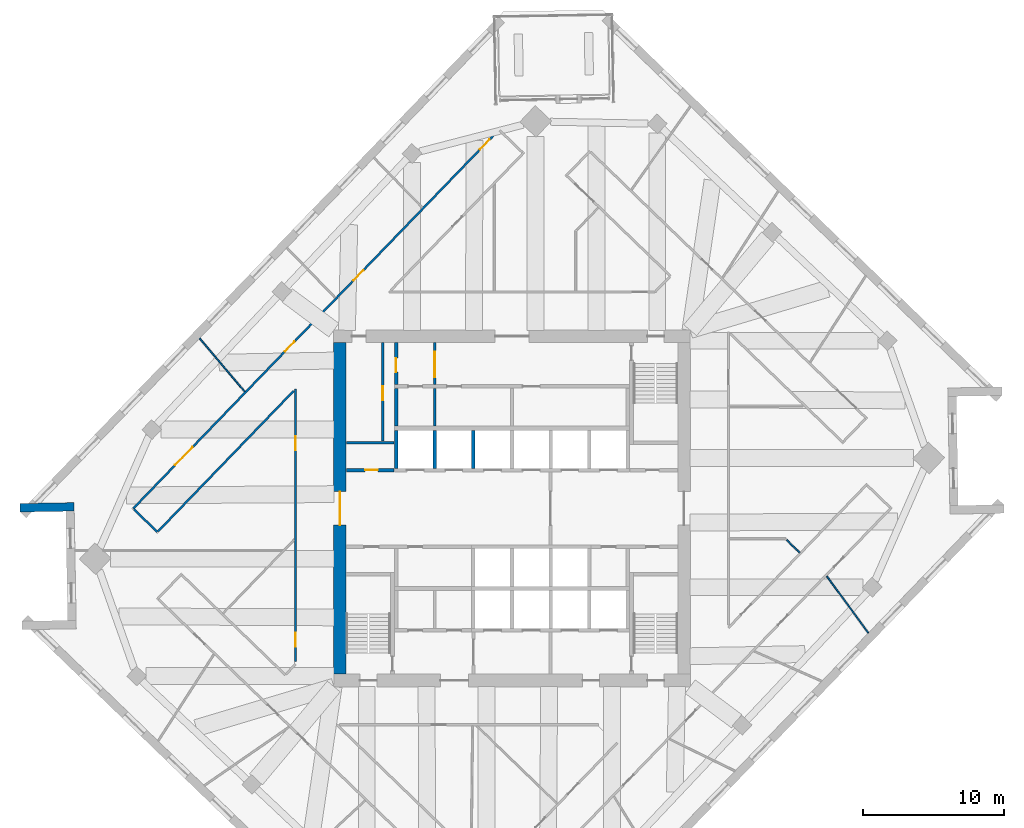
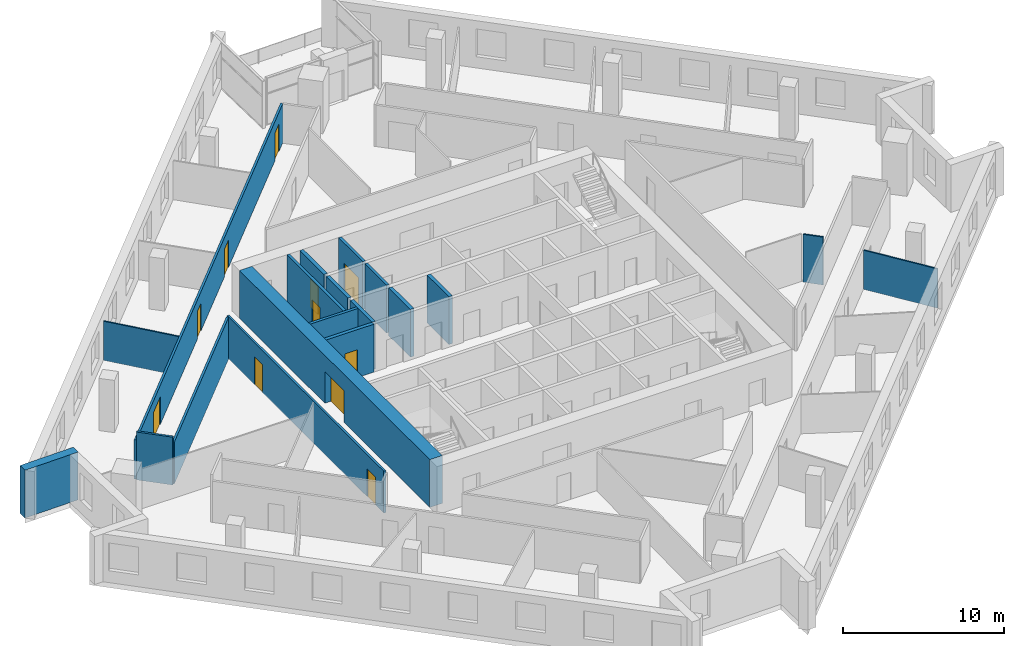
# One storey, part 8 of 13: 19 walls, 11 doors, 11 openings.
"""IFC4 building model written with IfcOpenShell, lengths in metres."""

from ifc_helpers import new_model, si_unit, direction, frame, frame_2d, origin, place, context, subcontext, project, spatial, rectangle, extrude, material, layer, layer_set, type_object, element, fill, save


model = new_model("IFC4")

# Units and contexts
model_context = context("Model", 3, precision=1e-05, world=origin(), true_north=direction((0.0, 1.0)))
body_context = subcontext(model_context, "Body", "Model", "MODEL_VIEW")
ifc_project = project(units=[si_unit("LENGTHUNIT", "METRE"), si_unit("AREAUNIT", "SQUARE_METRE"), si_unit("VOLUMEUNIT", "CUBIC_METRE"), si_unit("PLANEANGLEUNIT", "RADIAN"), si_unit("MASSUNIT", "GRAM", prefix="KILO")], contexts=[model_context])

# Site, building, storey
site_placement = place(None, origin())
site = spatial("IfcSite", under=ifc_project, at=site_placement, CompositionType="ELEMENT")
building_placement = place(site_placement, origin())
building = spatial("IfcBuilding", under=site, at=building_placement, Name="Dilmun Exchange Tower", CompositionType="ELEMENT")
storey_placement = place(building_placement, frame((0.0, 0.0, 209.300048828125)))
storey = spatial("IfcBuildingStorey", under=building, at=storey_placement, Name="L49", CompositionType="ELEMENT", Elevation=209.300048828125)

# Wall
ifc_material_1 = material(Name="Concrete C40/50", Category="concrete")
ifc_layer_1 = layer(ifc_material_1, 0.199951171875)
ifc_layer_set_1 = layer_set([ifc_layer_1], Name="Concrete C40/50")
wall_type_1 = type_object("IfcWallType", Name="Core partition wall 200", PredefinedType="PARTITIONING", material=ifc_layer_set_1)
wall_1_placement = place(storey_placement, frame((-11.794921875, 4.675048828125, 0.0), z_axis=(0.0, 0.0, 1.0), x_axis=(1.0, 0.0, 0.0)))
element("IfcWall", 1, at=wall_1_placement, inside=storey, type_object=wall_type_1, Name="L49 core partition wall 14", PredefinedType="PARTITIONING", context=body_context, shape_type="SweptSolid", body=[
    extrude(rectangle(XDim=3.4150390625, YDim=0.199951171875, at=frame_2d((1.70751953125, 0.0))), origin(), (0.0, 0.0, 1.0), 3.619873046875),
])

# Wall, opening, door
wall_2_placement = place(storey_placement, frame((-9.199951171875, 4.780029296875, 0.0), z_axis=(0.0, 0.0, 1.0), x_axis=(0.0, 1.0, 0.0)))
wall_2 = element("IfcWall", 2, at=wall_2_placement, inside=storey, type_object=wall_type_1, Name="L49 core partition wall 15", PredefinedType="PARTITIONING", context=body_context, shape_type="SweptSolid", body=[
    extrude(rectangle(XDim=7.014892578125, YDim=0.199951171875, at=frame_2d((3.50732421875, 0.0))), origin(), (0.0, 0.0, 1.0), 3.619873046875),
])
opening_1_placement = place(wall_2_placement, frame((2.919921875, 0.0, 0.0)))
opening_1 = element("IfcOpeningElement", 3, at=opening_1_placement, cuts=wall_2, Name="Opening CD4", PredefinedType="OPENING", context=body_context, shape_type="SweptSolid", body=[
    extrude(rectangle(XDim=1.0, YDim=2.10009765625, at=frame_2d((0.5, 1.050048828125))), frame((0.0, 0.10986328125, 0.0), z_axis=(0.0, -1.0, 0.0), x_axis=(1.0, 0.0, 0.0)), (0.0, 0.0, 1.0), 0.219970703125),
])
ifc_material_2 = material(Name="Fire-rated steel door set", Category="steel")
door_type_1 = type_object("IfcDoorType", Name="Core room door 1000x2100", OperationType="SINGLE_SWING_LEFT", PredefinedType="DOOR", material=ifc_material_2)
door_1_placement = place(opening_1_placement, origin())
door_1 = element("IfcDoor", 4, at=door_1_placement, inside=storey, type_object=door_type_1, Name="L49 door Fire safety store", OperationType="SINGLE_SWING_RIGHT", OverallHeight=2.10009765625, OverallWidth=1.0, PredefinedType="DOOR", context=body_context, shape_type="SweptSolid", body=[
    extrude(rectangle(XDim=1.0, YDim=2.10009765625, at=frame_2d((0.5, 1.050048828125))), frame((0.0, 0.02490234375, 0.0), z_axis=(0.0, -1.0, 0.0), x_axis=(1.0, 0.0, 0.0)), (0.0, 0.0, 1.0), 0.050048828125),
])
fill(opening_1, door_1)

# Wall
wall_3_placement = place(storey_placement, frame((-5.5, 5.85498046875, 0.0), z_axis=(0.0, 0.0, 1.0), x_axis=(0.0, 1.0, 0.0)))
element("IfcWall", 5, at=wall_3_placement, inside=storey, type_object=wall_type_1, Name="L49 core partition wall 17", PredefinedType="PARTITIONING", context=body_context, shape_type="SweptSolid", body=[
    extrude(rectangle(XDim=2.68994140625, YDim=0.199951171875, at=frame_2d((1.344970703125, 0.0))), origin(), (0.0, 0.0, 1.0), 3.619873046875),
])

# Wall, opening, door
wall_4_placement = place(storey_placement, frame((-5.5, 8.804931640625, 0.0), z_axis=(0.0, 0.0, 1.0), x_axis=(0.0, 1.0, 0.0)))
wall_4 = element("IfcWall", 6, at=wall_4_placement, inside=storey, type_object=wall_type_1, Name="L49 core partition wall 22", PredefinedType="PARTITIONING", context=body_context, shape_type="SweptSolid", body=[
    extrude(rectangle(XDim=2.989990234375, YDim=0.199951171875, at=frame_2d((1.4951171875, 0.0))), origin(), (0.0, 0.0, 1.0), 3.619873046875),
])
opening_2_placement = place(wall_4_placement, frame((0.532470703125, 0.0, 0.0)))
opening_2 = element("IfcOpeningElement", 7, at=opening_2_placement, cuts=wall_4, Name="Opening CD5", PredefinedType="OPENING", context=body_context, shape_type="SweptSolid", body=[
    extrude(rectangle(XDim=1.800048828125, YDim=2.10009765625, at=frame_2d((0.89990234375, 1.050048828125))), frame((0.0, 0.10986328125, 0.0), z_axis=(0.0, -1.0, 0.0), x_axis=(1.0, 0.0, 0.0)), (0.0, 0.0, 1.0), 0.219970703125),
])
door_type_2 = type_object("IfcDoorType", Name="Stair exit door 1800x2100", OperationType="SINGLE_SWING_LEFT", PredefinedType="DOOR", material=ifc_material_2)
door_2_placement = place(opening_2_placement, origin())
door_2 = element("IfcDoor", 8, at=door_2_placement, inside=storey, type_object=door_type_2, Name="L49 door Core corridor east", OperationType="SINGLE_SWING_LEFT", OverallHeight=2.10009765625, OverallWidth=1.800048828125, PredefinedType="DOOR", context=body_context, shape_type="SweptSolid", body=[
    extrude(rectangle(XDim=1.800048828125, YDim=2.10009765625, at=frame_2d((0.89990234375, 1.050048828125))), frame((0.0, 0.02490234375, 0.0), z_axis=(0.0, -1.0, 0.0), x_axis=(1.0, 0.0, 0.0)), (0.0, 0.0, 1.0), 0.050048828125),
])
fill(opening_2, door_2)

ifc_layer_2 = layer(ifc_material_1, 0.25)
ifc_layer_set_2 = layer_set([ifc_layer_2], Name="Concrete C40/50")
wall_type_2 = type_object("IfcWallType", Name="Core partition wall 250", PredefinedType="PARTITIONING", material=ifc_layer_set_2)
wall_5_placement = place(storey_placement, frame((-11.794921875, 2.72509765625, 0.0), z_axis=(0.0, 0.0, 1.0), x_axis=(1.0, 0.0, 0.0)))
wall_5 = element("IfcWall", 9, at=wall_5_placement, inside=storey, type_object=wall_type_2, Name="L49 core partition wall 12", PredefinedType="PARTITIONING", context=body_context, shape_type="SweptSolid", body=[
    extrude(rectangle(XDim=3.4150390625, YDim=0.25, at=frame_2d((1.70751953125, 0.0))), origin(), (0.0, 0.0, 1.0), 3.619873046875),
])
opening_3_placement = place(wall_5_placement, frame((1.344970703125, 0.0, 0.0)))
opening_3 = element("IfcOpeningElement", 10, at=opening_3_placement, cuts=wall_5, Name="Opening CD6", PredefinedType="OPENING", context=body_context, shape_type="SweptSolid", body=[
    extrude(rectangle(XDim=0.89990234375, YDim=2.10009765625, at=frame_2d((0.449951171875, 1.050048828125))), frame((0.0, 0.135009765625, 0.0), z_axis=(0.0, -1.0, 0.0), x_axis=(1.0, 0.0, 0.0)), (0.0, 0.0, 1.0), 0.27001953125),
])
door_type_3 = type_object("IfcDoorType", Name="Core room door 900x2100", OperationType="SINGLE_SWING_LEFT", PredefinedType="DOOR", material=ifc_material_2)
door_3_placement = place(opening_3_placement, origin())
door_3 = element("IfcDoor", 11, at=door_3_placement, inside=storey, type_object=door_type_3, Name="L49 door Plumbing riser", OperationType="SINGLE_SWING_RIGHT", OverallHeight=2.10009765625, OverallWidth=0.89990234375, PredefinedType="DOOR", context=body_context, shape_type="SweptSolid", body=[
    extrude(rectangle(XDim=0.89990234375, YDim=2.10009765625, at=frame_2d((0.449951171875, 1.050048828125))), frame((0.0, 0.02490234375, 0.0), z_axis=(0.0, -1.0, 0.0), x_axis=(1.0, 0.0, 0.0)), (0.0, 0.0, 1.0), 0.050048828125),
])
fill(opening_3, door_3)

# Wall
wall_6_placement = place(storey_placement, frame((-8.25, 5.85498046875, 0.0), z_axis=(0.0, 0.0, 1.0), x_axis=(0.0, 1.0, 0.0)))
element("IfcWall", 12, at=wall_6_placement, inside=storey, type_object=wall_type_2, Name="L49 core partition wall 16", PredefinedType="PARTITIONING", context=body_context, shape_type="SweptSolid", body=[
    extrude(rectangle(XDim=2.68994140625, YDim=0.25, at=frame_2d((1.344970703125, 0.0))), origin(), (0.0, 0.0, 1.0), 3.619873046875),
])

# Wall, opening, door
wall_7_placement = place(storey_placement, frame((-8.25, 8.804931640625, 0.0), z_axis=(0.0, 0.0, 1.0), x_axis=(0.0, 1.0, 0.0)))
wall_7 = element("IfcWall", 13, at=wall_7_placement, inside=storey, type_object=wall_type_2, Name="L49 core partition wall 21", PredefinedType="PARTITIONING", context=body_context, shape_type="SweptSolid", body=[
    extrude(rectangle(XDim=2.989990234375, YDim=0.25, at=frame_2d((1.4951171875, 0.0))), origin(), (0.0, 0.0, 1.0), 3.619873046875),
])
opening_4_placement = place(wall_7_placement, frame((0.89501953125, 0.0, 0.0)))
opening_4 = element("IfcOpeningElement", 14, at=opening_4_placement, cuts=wall_7, Name="Opening CD4", PredefinedType="OPENING", context=body_context, shape_type="SweptSolid", body=[
    extrude(rectangle(XDim=1.0, YDim=2.10009765625, at=frame_2d((0.5, 1.050048828125))), frame((0.0, 0.135009765625, 0.0), z_axis=(0.0, -1.0, 0.0), x_axis=(1.0, 0.0, 0.0)), (0.0, 0.0, 1.0), 0.27001953125),
])
door_4_placement = place(opening_4_placement, origin())
door_4 = element("IfcDoor", 15, at=door_4_placement, inside=storey, type_object=door_type_1, Name="L49 door Tenant services room", OperationType="SINGLE_SWING_RIGHT", OverallHeight=2.10009765625, OverallWidth=1.0, PredefinedType="DOOR", context=body_context, shape_type="SweptSolid", body=[
    extrude(rectangle(XDim=1.0, YDim=2.10009765625, at=frame_2d((0.5, 1.050048828125))), frame((0.0, 0.02490234375, 0.0), z_axis=(0.0, -1.0, 0.0), x_axis=(1.0, 0.0, 0.0)), (0.0, 0.0, 1.0), 0.050048828125),
])
fill(opening_4, door_4)

ifc_material_3 = material(Name="Concrete C60/75", Category="concrete")
ifc_layer_3 = layer(ifc_material_3, 0.89990234375)
ifc_layer_set_3 = layer_set([ifc_layer_3], Name="Concrete C60/75")
wall_type_3 = type_object("IfcWallType", Name="Core shear wall 900 Concrete C60/75", PredefinedType="SHEAR", material=ifc_layer_set_3)
wall_8_placement = place(storey_placement, frame((-12.25, -11.800048828125, 0.0), z_axis=(0.0, 0.0, 1.0), x_axis=(0.0, 1.0, 0.0)))
wall_8 = element("IfcWall", 16, at=wall_8_placement, inside=storey, type_object=wall_type_3, Name="L49 core shear wall W", PredefinedType="SHEAR", context=body_context, shape_type="SweptSolid", body=[
    extrude(rectangle(XDim=23.60009765625, YDim=0.89990234375, at=frame_2d((11.800048828125, 0.0))), origin(), (0.0, 0.0, 1.0), 3.619873046875),
])
opening_5_placement = place(wall_8_placement, frame((10.60009765625, 0.0, 0.0)))
opening_5 = element("IfcOpeningElement", 17, at=opening_5_placement, cuts=wall_8, Name="Opening CD1", PredefinedType="OPENING", context=body_context, shape_type="SweptSolid", body=[
    extrude(rectangle(XDim=2.39990234375, YDim=2.39990234375, at=frame_2d((1.199951171875, 1.199951171875))), frame((0.0, 0.4599609375, 0.0), z_axis=(0.0, -1.0, 0.0), x_axis=(1.0, 0.0, 0.0)), (0.0, 0.0, 1.0), 0.919921875),
])
door_type_4 = type_object("IfcDoorType", Name="Core lobby door 2400x2400", OperationType="DOUBLE_DOOR_DOUBLE_SWING", PredefinedType="DOOR", material=ifc_material_2)
door_5_placement = place(opening_5_placement, origin())
door_5 = element("IfcDoor", 18, at=door_5_placement, inside=storey, type_object=door_type_4, Name="L49 door Central lift lobby", OperationType="SINGLE_SWING_LEFT", OverallHeight=2.39990234375, OverallWidth=2.39990234375, PredefinedType="DOOR", context=body_context, shape_type="SweptSolid", body=[
    extrude(rectangle(XDim=2.39990234375, YDim=2.39990234375, at=frame_2d((1.199951171875, 1.199951171875))), frame((0.0, 0.02490234375, 0.0), z_axis=(0.0, -1.0, 0.0), x_axis=(1.0, 0.0, 0.0)), (0.0, 0.0, 1.0), 0.050048828125),
])
fill(opening_5, door_5)

# Wall, openings, doors
ifc_material_4 = material(Name="Corridor wall 150")
ifc_layer_4 = layer(ifc_material_4, 0.14990234375)
ifc_layer_set_4 = layer_set([ifc_layer_4], Name="Corridor wall 150")
wall_type_4 = type_object("IfcWallType", Name="Corridor wall 150", PredefinedType="PARTITIONING", material=ifc_layer_set_4)
wall_9_placement = place(storey_placement, frame((-26.9599609375, -0.01611328125, 0.0), z_axis=(0.0, 0.0, 1.0), x_axis=(0.694654845656, 0.719343204184, 0.0)))
wall_9 = element("IfcWall", 19, at=wall_9_placement, inside=storey, type_object=wall_type_4, Name="Corridor wall", PredefinedType="PARTITIONING", context=body_context, shape_type="SweptSolid", body=[
    extrude(rectangle(XDim=37.47900390625, YDim=0.14990234375, at=frame_2d((18.739501953125, 0.0))), origin(), (0.0, 0.0, 1.0), 2.969970703125),
])
opening_6_placement = place(wall_9_placement, frame((4.300048828125, 0.0, 0.0)))
opening_6 = element("IfcOpeningElement", 20, at=opening_6_placement, cuts=wall_9, Name="Opening TF48-D02", PredefinedType="OPENING", context=body_context, shape_type="SweptSolid", body=[
    extrude(rectangle(XDim=1.800048828125, YDim=2.10009765625, at=frame_2d((0.89990234375, 1.050048828125))), frame((0.0, 0.0849609375, 0.0), z_axis=(0.0, -1.0, 0.0), x_axis=(1.0, 0.0, 0.0)), (0.0, 0.0, 1.0), 0.169921875),
])
opening_7_placement = place(wall_9_placement, frame((15.54736328125, 0.0, 0.0)))
opening_7 = element("IfcOpeningElement", 21, at=opening_7_placement, cuts=wall_9, Name="Opening TF48-D05", PredefinedType="OPENING", context=body_context, shape_type="SweptSolid", body=[
    extrude(rectangle(XDim=1.0, YDim=2.10009765625, at=frame_2d((0.5, 1.050048828125))), frame((0.0, 0.0849609375, 0.0), z_axis=(0.0, -1.0, 0.0), x_axis=(1.0, 0.0, 0.0)), (0.0, 0.0, 1.0), 0.169921875),
])
opening_8_placement = place(wall_9_placement, frame((22.580078125, 0.0, 0.0)))
opening_8 = element("IfcOpeningElement", 22, at=opening_8_placement, cuts=wall_9, Name="Opening TF48-D08", PredefinedType="OPENING", context=body_context, shape_type="SweptSolid", body=[
    extrude(rectangle(XDim=1.0, YDim=2.10009765625, at=frame_2d((0.5, 1.050048828125))), frame((0.0, 0.0849609375, 0.0), z_axis=(0.0, -1.0, 0.0), x_axis=(1.0, 0.0, 0.0)), (0.0, 0.0, 1.0), 0.169921875),
])
opening_9_placement = place(wall_9_placement, frame((35.50830078125, 0.0, 0.0)))
opening_9 = element("IfcOpeningElement", 23, at=opening_9_placement, cuts=wall_9, Name="Opening TF48-D12", PredefinedType="OPENING", context=body_context, shape_type="SweptSolid", body=[
    extrude(rectangle(XDim=1.0, YDim=2.10009765625, at=frame_2d((0.5, 1.050048828125))), frame((0.0, 0.0849609375, 0.0), z_axis=(0.0, -1.0, 0.0), x_axis=(1.0, 0.0, 0.0)), (0.0, 0.0, 1.0), 0.169921875),
])
ifc_material_5 = material(Name="Fire door 1000 x 2100")
door_type_5 = type_object("IfcDoorType", Name="Fire door 1000 x 2100", OperationType="NOTDEFINED", PredefinedType="DOOR", material=ifc_material_5)
door_6_placement = place(opening_7_placement, origin())
door_6 = element("IfcDoor", 24, at=door_6_placement, inside=storey, type_object=door_type_5, Name="Door TF48-D05", OperationType="SINGLE_SWING_LEFT", OverallHeight=2.10009765625, OverallWidth=1.0, PredefinedType="DOOR", context=body_context, shape_type="SweptSolid", body=[
    extrude(rectangle(XDim=1.0, YDim=2.10009765625, at=frame_2d((0.5, 1.050048828125))), frame((0.0, 0.02490234375, 0.0), z_axis=(0.0, -1.0, 0.0), x_axis=(1.0, 0.0, 0.0)), (0.0, 0.0, 1.0), 0.050048828125),
])
fill(opening_7, door_6)
door_7_placement = place(opening_8_placement, origin())
door_7 = element("IfcDoor", 25, at=door_7_placement, inside=storey, type_object=door_type_5, Name="Door TF48-D08", OperationType="SINGLE_SWING_RIGHT", OverallHeight=2.10009765625, OverallWidth=1.0, PredefinedType="DOOR", context=body_context, shape_type="SweptSolid", body=[
    extrude(rectangle(XDim=1.0, YDim=2.10009765625, at=frame_2d((0.5, 1.050048828125))), frame((0.0, 0.02490234375, 0.0), z_axis=(0.0, -1.0, 0.0), x_axis=(1.0, 0.0, 0.0)), (0.0, 0.0, 1.0), 0.050048828125),
])
fill(opening_8, door_7)
door_8_placement = place(opening_9_placement, origin())
door_8 = element("IfcDoor", 26, at=door_8_placement, inside=storey, type_object=door_type_5, Name="Door TF48-D12", OperationType="SINGLE_SWING_LEFT", OverallHeight=2.10009765625, OverallWidth=1.0, PredefinedType="DOOR", context=body_context, shape_type="SweptSolid", body=[
    extrude(rectangle(XDim=1.0, YDim=2.10009765625, at=frame_2d((0.5, 1.050048828125))), frame((0.0, 0.02490234375, 0.0), z_axis=(0.0, -1.0, 0.0), x_axis=(1.0, 0.0, 0.0)), (0.0, 0.0, 1.0), 0.050048828125),
])
fill(opening_9, door_8)
ifc_material_6 = material(Name="Fire door pair 1800 x 2100")
door_type_6 = type_object("IfcDoorType", Name="Fire door pair 1800 x 2100", OperationType="NOTDEFINED", PredefinedType="DOOR", material=ifc_material_6)
door_9_placement = place(opening_6_placement, origin())
door_9 = element("IfcDoor", 27, at=door_9_placement, inside=storey, type_object=door_type_6, Name="Door TF48-D02", OperationType="DOUBLE_DOOR_SINGLE_SWING", OverallHeight=2.10009765625, OverallWidth=1.800048828125, PredefinedType="DOOR", context=body_context, shape_type="SweptSolid", body=[
    extrude(rectangle(XDim=1.800048828125, YDim=2.10009765625, at=frame_2d((0.89990234375, 1.050048828125))), frame((0.0, 0.02490234375, 0.0), z_axis=(0.0, -1.0, 0.0), x_axis=(1.0, 0.0, 0.0)), (0.0, 0.0, 1.0), 0.050048828125),
])
fill(opening_6, door_9)

# Walls
wall_10_placement = place(storey_placement, frame((-26.906005859375, -0.068115234375, 0.0), z_axis=(0.0, 0.0, 1.0), x_axis=(0.719287446812, -0.694712580035, 0.0)))
element("IfcWall", 28, at=wall_10_placement, inside=storey, type_object=wall_type_4, Name="Corridor wall", PredefinedType="PARTITIONING", context=body_context, shape_type="SweptSolid", body=[
    extrude(rectangle(XDim=2.32470703125, YDim=0.14990234375, at=frame_2d((1.162353515625, 0.0))), origin(), (0.0, 0.0, 1.0), 3.619873046875),
])
wall_11_placement = place(storey_placement, frame((-25.181884765625, -1.62890625, 0.0), z_axis=(0.0, 0.0, 1.0), x_axis=(0.694683242855, 0.719315780514, 0.0)))
element("IfcWall", 29, at=wall_11_placement, inside=storey, type_object=wall_type_4, Name="Corridor wall", PredefinedType="PARTITIONING", context=body_context, shape_type="SweptSolid", body=[
    extrude(rectangle(XDim=13.895751953125, YDim=0.14990234375, at=frame_2d((6.94775390625, 0.0))), origin(), (0.0, 0.0, 1.0), 3.169921875),
])

# Wall, openings, doors
wall_12_placement = place(storey_placement, frame((-15.39990234375, -10.9033203125, 0.0), z_axis=(0.0, 0.0, 1.0), x_axis=(0.0, 1.0, 0.0)))
wall_12 = element("IfcWall", 30, at=wall_12_placement, inside=storey, type_object=wall_type_4, Name="Corridor wall", PredefinedType="PARTITIONING", context=body_context, shape_type="SweptSolid", body=[
    extrude(rectangle(XDim=19.4033203125, YDim=0.14990234375, at=frame_2d((9.70166015625, 0.0))), origin(), (0.0, 0.0, 1.0), 3.169921875),
])
opening_10_placement = place(wall_12_placement, frame((15.032470703125, 0.0, 0.0)))
opening_10 = element("IfcOpeningElement", 31, at=opening_10_placement, cuts=wall_12, Name="Opening TF48-D03", PredefinedType="OPENING", context=body_context, shape_type="SweptSolid", body=[
    extrude(rectangle(XDim=1.0, YDim=2.10009765625, at=frame_2d((0.5, 1.050048828125))), frame((0.0, 0.0849609375, 0.0), z_axis=(0.0, -1.0, 0.0), x_axis=(1.0, 0.0, 0.0)), (0.0, 0.0, 1.0), 0.169921875),
])
opening_11_placement = place(wall_12_placement, frame((1.050048828125, 0.0, 0.0)))
opening_11 = element("IfcOpeningElement", 32, at=opening_11_placement, cuts=wall_12, Name="Opening TF48-D06", PredefinedType="OPENING", context=body_context, shape_type="SweptSolid", body=[
    extrude(rectangle(XDim=1.0, YDim=2.10009765625, at=frame_2d((0.5, 1.050048828125))), frame((0.0, 0.0849609375, 0.0), z_axis=(0.0, -1.0, 0.0), x_axis=(1.0, 0.0, 0.0)), (0.0, 0.0, 1.0), 0.169921875),
])
door_10_placement = place(opening_10_placement, origin())
door_10 = element("IfcDoor", 33, at=door_10_placement, inside=storey, type_object=door_type_5, Name="Door TF48-D03", OperationType="SINGLE_SWING_RIGHT", OverallHeight=2.10009765625, OverallWidth=1.0, PredefinedType="DOOR", context=body_context, shape_type="SweptSolid", body=[
    extrude(rectangle(XDim=1.0, YDim=2.10009765625, at=frame_2d((0.5, 1.050048828125))), frame((0.0, 0.02490234375, 0.0), z_axis=(0.0, -1.0, 0.0), x_axis=(1.0, 0.0, 0.0)), (0.0, 0.0, 1.0), 0.050048828125),
])
fill(opening_10, door_10)
door_11_placement = place(opening_11_placement, origin())
door_11 = element("IfcDoor", 34, at=door_11_placement, inside=storey, type_object=door_type_5, Name="Door TF48-D06", OperationType="SINGLE_SWING_RIGHT", OverallHeight=2.10009765625, OverallWidth=1.0, PredefinedType="DOOR", context=body_context, shape_type="SweptSolid", body=[
    extrude(rectangle(XDim=1.0, YDim=2.10009765625, at=frame_2d((0.5, 1.050048828125))), frame((0.0, 0.02490234375, 0.0), z_axis=(0.0, -1.0, 0.0), x_axis=(1.0, 0.0, 0.0)), (0.0, 0.0, 1.0), 0.050048828125),
])
fill(opening_11, door_11)

# Walls
ifc_layer_5 = layer(ifc_material_1, 0.25)
ifc_layer_set_5 = layer_set([ifc_layer_5], Name="Concrete C40/50")
wall_type_5 = type_object("IfcWallType", Name="Lift shaft wall 250", PredefinedType="SOLIDWALL", material=ifc_layer_set_5)
for number, where, z_axis, x_axis, name in (
    (35, (-8.25, 2.85009765625, 0.0), (0.0, 0.0, 1.0), (0.0, 1.0, 0.0), "L49 lift shaft divider N10"),
    (36, (-5.5, 2.85009765625, 0.0), (0.0, 0.0, 1.0), (0.0, 1.0, 0.0), "L49 lift shaft divider N11"),
    (37, (-2.75, 2.85009765625, 0.0), (0.0, 0.0, 1.0), (0.0, 1.0, 0.0), "L49 lift shaft divider N12"),
):
    element("IfcWall", number, at=place(storey_placement, frame(where, z_axis=z_axis, x_axis=x_axis)), inside=storey, type_object=wall_type_5, Name=name, PredefinedType="SOLIDWALL", context=body_context, shape_type="SweptSolid", body=[
        extrude(rectangle(XDim=2.699951171875, YDim=0.25, at=frame_2d((1.35009765625, 0.0))), origin(), (0.0, 0.0, 1.0), 3.619873046875),
    ])
ifc_material_7 = material(Name="Partition 100")
ifc_layer_6 = layer(ifc_material_7, 0.10009765625)
ifc_layer_set_6 = layer_set([ifc_layer_6], Name="Partition 100")
wall_type_6 = type_object("IfcWallType", Name="Partition 100", PredefinedType="PARTITIONING", material=ifc_layer_set_6)
wall_13_placement = place(storey_placement, frame((-22.23291015625, 12.099609375, 0.0), z_axis=(0.0, 0.0, 1.0), x_axis=(0.646745011425, -0.762706293534, 0.0)))
element("IfcWall", 38, at=wall_13_placement, inside=storey, type_object=wall_type_6, Name="Partition", PredefinedType="PARTITIONING", context=body_context, shape_type="SweptSolid", body=[
    extrude(rectangle(XDim=4.960205078125, YDim=0.10009765625, at=frame_2d((2.47998046875, 0.0))), origin(), (0.0, 0.0, 1.0), 2.969970703125),
])
wall_14_placement = place(storey_placement, frame((19.54296875, -2.248046875, 0.0), z_axis=(0.0, 0.0, 1.0), x_axis=(0.719136791041, -0.694868531286, 0.0)))
element("IfcWall", 39, at=wall_14_placement, inside=storey, type_object=wall_type_6, Name="Partition", PredefinedType="PARTITIONING", context=body_context, shape_type="SweptSolid", body=[
    extrude(rectangle(XDim=1.28759765625, YDim=0.10009765625, at=frame_2d((0.643798828125, 0.0))), origin(), (0.0, 0.0, 1.0), 3.619873046875),
])
wall_15_placement = place(storey_placement, frame((22.404052734375, -4.822509765625, 0.0), z_axis=(0.0, 0.0, 1.0), x_axis=(0.590034932846, -0.80737771707, 0.0)))
element("IfcWall", 40, at=wall_15_placement, inside=storey, type_object=wall_type_6, Name="Partition", PredefinedType="PARTITIONING", context=body_context, shape_type="SweptSolid", body=[
    extrude(rectangle(XDim=5.00537109375, YDim=0.10009765625, at=frame_2d((2.502685546875, 0.0))), origin(), (0.0, 0.0, 1.0), 2.969970703125),
])
ifc_material_8 = material(Name="Precast concrete C50/60", Category="concrete")
ifc_layer_7 = layer(ifc_material_8, 0.60009765625)
ifc_layer_set_7 = layer_set([ifc_layer_7], Name="Precast concrete C50/60")
wall_type_7 = type_object("IfcWallType", Name="Precast stone-clad wall 600", PredefinedType="STANDARD", material=ifc_layer_set_7)
wall_16_placement = place(storey_placement, frame((-35.0078125, 0.04248046875, 0.0), z_axis=(0.0, 0.0, 1.0), x_axis=(0.999847642189, 0.017455440681, 0.0)))
element("IfcWall", 41, at=wall_16_placement, inside=storey, type_object=wall_type_7, Name="Facade wall L49-04", PredefinedType="STANDARD", context=body_context, shape_type="SweptSolid", body=[
    extrude(rectangle(XDim=3.84619140625, YDim=0.60009765625, at=frame_2d((1.923095703125, 0.0))), origin(), (0.0, 0.0, 1.0), 3.619873046875),
])

save(model, "model.ifc")
